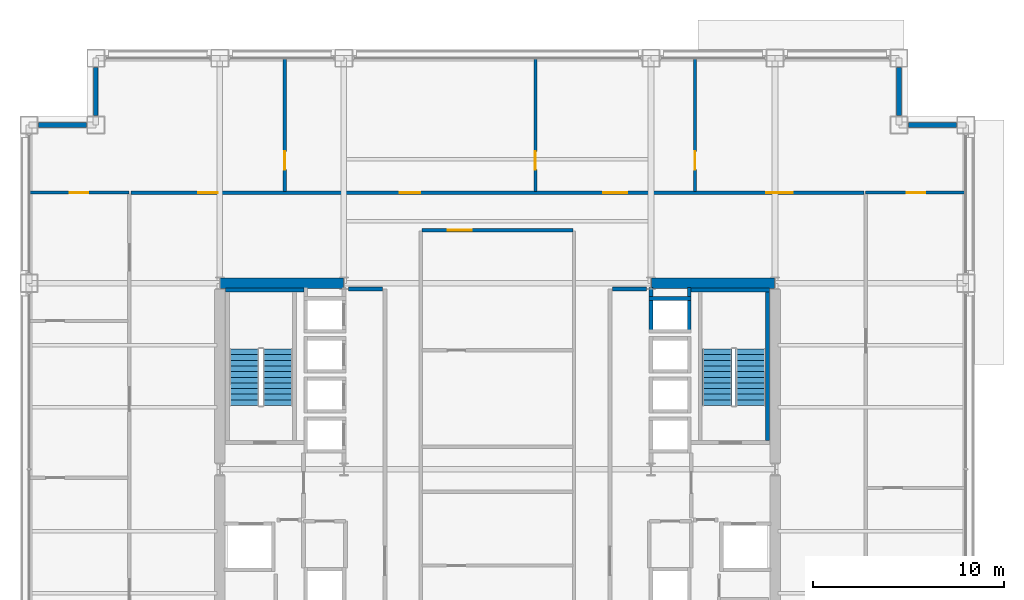
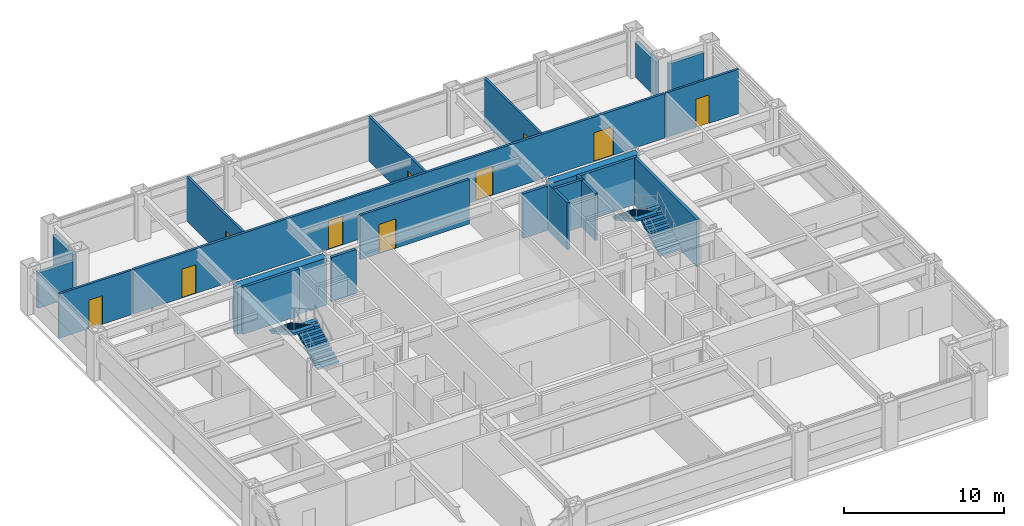
# One storey, part 27 of 28: 21 walls, 10 doors, 4 stair flights, 10 openings, 2 elements without a shape of their own.
"""IFC4 building model written with IfcOpenShell, lengths in metres."""

from ifc_helpers import new_model, si_unit, direction, frame, frame_2d, origin, place, context, subcontext, project, spatial, polyline, rectangle, outline, extrude, material, layer, layer_set, type_object, element, fill, aggregate, save


model = new_model("IFC4")

# Units and contexts
model_context = context("Model", 3, precision=1e-05, world=origin(), true_north=direction((0.0, 1.0)))
body_context = subcontext(model_context, "Body", "Model", "MODEL_VIEW")
ifc_project = project(units=[si_unit("LENGTHUNIT", "METRE"), si_unit("AREAUNIT", "SQUARE_METRE"), si_unit("VOLUMEUNIT", "CUBIC_METRE"), si_unit("PLANEANGLEUNIT", "RADIAN"), si_unit("MASSUNIT", "GRAM", prefix="KILO")], contexts=[model_context])

# Site, building, storey
site_placement = place(None, origin())
site = spatial("IfcSite", under=ifc_project, at=site_placement, CompositionType="ELEMENT")
building_placement = place(site_placement, origin())
building = spatial("IfcBuilding", under=site, at=building_placement, Name="Brelmoor Portico Tower", CompositionType="ELEMENT")
storey_placement = place(building_placement, frame((0.0, 0.0, 49.199951171875)))
storey = spatial("IfcBuildingStorey", under=building, at=storey_placement, Name="L12", CompositionType="ELEMENT", Elevation=49.199951171875)

# Walls
ifc_material_1 = material(Name="Concrete C60", Category="concrete")
ifc_layer_1 = layer(ifc_material_1, 0.550048828125)
ifc_layer_set_1 = layer_set([ifc_layer_1], Name="Concrete C60")
wall_type_1 = type_object("IfcWallType", Name="WL-CORE-550", PredefinedType="SHEAR", material=ifc_layer_set_1)
for number, where, z_axis, x_axis, name in (
    (1, (-14.530029296875, 9.75, -0.199951171875), (0.0, 0.0, 1.0), (1.0, 0.0, 0.0), "L12 WC North Shear Wall"),
    (2, (8.070068359375, 9.75, -0.199951171875), (0.0, 0.0, 1.0), (1.0, 0.0, 0.0), "L12 EC North Shear Wall"),
):
    element("IfcWall", number, at=place(storey_placement, frame(where, z_axis=z_axis, x_axis=x_axis)), inside=storey, type_object=wall_type_1, Name=name, PredefinedType="SHEAR", context=body_context, shape_type="SweptSolid", body=[
        extrude(rectangle(XDim=6.4599609375, YDim=0.550048828125, at=frame_2d((3.22998046875, 0.0))), origin(), (0.0, 0.0, 1.0), 3.60009765625),
    ])
ifc_material_2 = material(Name="Precast Concrete C40 Insulated Facade Wall", Category="concrete")
ifc_layer_2 = layer(ifc_material_2, 0.25)
ifc_layer_set_2 = layer_set([ifc_layer_2], Name="Precast Concrete C40 Insulated Facade Wall")
wall_type_2 = type_object("IfcWallType", Name="WL-EXT-250", PredefinedType="STANDARD", material=ifc_layer_set_2)
for number, where, z_axis, x_axis, name in (
    (3, (-24.06494140625, 18.050048828125, 0.0), (0.0, 0.0, 1.0), (1.0, 0.0, 0.0), "L12 Corner Notch Facade Wall NNWH1"),
    (4, (-21.050048828125, 18.534912109375, 0.0), (0.0, 0.0, 1.0), (0.0, 1.0, 0.0), "L12 Corner Notch Facade Wall NNWV1"),
    (5, (21.534912109375, 18.050048828125, 0.0), (0.0, 0.0, 1.0), (1.0, 0.0, 0.0), "L12 Corner Notch Facade Wall NNEH1"),
    (6, (21.050048828125, 18.534912109375, 0.0), (0.0, 0.0, 1.0), (0.0, 1.0, 0.0), "L12 Corner Notch Facade Wall NNEV1"),
):
    element("IfcWall", number, at=place(storey_placement, frame(where, z_axis=z_axis, x_axis=x_axis)), inside=storey, type_object=wall_type_2, Name=name, PredefinedType="STANDARD", context=body_context, shape_type="SweptSolid", body=[
        extrude(rectangle(XDim=2.530029296875, YDim=0.25, at=frame_2d((1.26513671875, 0.0))), origin(), (0.0, 0.0, 1.0), 2.699951171875),
    ])

# Wall, opening, door
ifc_material_3 = material(Name="Twin-Frame Acoustic Partition", Category="gypsum")
ifc_layer_3 = layer(ifc_material_3, 0.159912109375)
ifc_layer_set_3 = layer_set([ifc_layer_3], Name="Twin-Frame Acoustic Partition")
wall_type_3 = type_object("IfcWallType", Name="WL-PART-160", PredefinedType="PARTITIONING", material=ifc_layer_set_3)
wall_1_placement = place(storey_placement, frame((-11.149658203125, 14.56005859375, 0.0), z_axis=(0.0, 0.0, 1.0), x_axis=(0.0, 1.0, 0.0)))
wall_1 = element("IfcWall", 7, at=wall_1_placement, inside=storey, type_object=wall_type_3, Name="L12 North Suite Partition 1", PredefinedType="PARTITIONING", context=body_context, shape_type="SweptSolid", body=[
    extrude(rectangle(XDim=7.0, YDim=0.159912109375, at=frame_2d((3.5, 0.0))), origin(), (0.0, 0.0, 1.0), 3.400146484375),
])
opening_1_placement = place(wall_1_placement, frame((1.14990234375, 0.0, 0.0)))
opening_1 = element("IfcOpeningElement", 8, at=opening_1_placement, cuts=wall_1, Name="Opening D-IN2", PredefinedType="OPENING", context=body_context, shape_type="SweptSolid", body=[
    extrude(rectangle(XDim=0.9599609375, YDim=2.179931640625, at=frame_2d((0.47998046875, 1.08984375))), frame((0.0, 0.08984375, 0.0), z_axis=(0.0, -1.0, 0.0), x_axis=(1.0, 0.0, 0.0)), (0.0, 0.0, 1.0), 0.179931640625),
])
ifc_material_4 = material(Name="Lacquered Timber Suite Door", Category="wood")
door_type_1 = type_object("IfcDoorType", Name="DR-INT-950", OperationType="NOTDEFINED", PredefinedType="DOOR", material=ifc_material_4)
door_1_placement = place(opening_1_placement, origin())
door_1 = element("IfcDoor", 9, at=door_1_placement, inside=storey, type_object=door_type_1, Name="D-0547 L12 North Suite Connecting Door 1", OperationType="SINGLE_SWING_LEFT", OverallHeight=2.179931640625, OverallWidth=0.9599609375, PredefinedType="DOOR", context=body_context, shape_type="SweptSolid", body=[
    extrude(rectangle(XDim=0.9599609375, YDim=2.179931640625, at=frame_2d((0.47998046875, 1.08984375))), frame((0.0, 0.02490234375, 0.0), z_axis=(0.0, -1.0, 0.0), x_axis=(1.0, 0.0, 0.0)), (0.0, 0.0, 1.0), 0.050048828125),
])
fill(opening_1, door_1)

wall_2_placement = place(storey_placement, frame((1.990966796875, 14.56005859375, 0.0), z_axis=(0.0, 0.0, 1.0), x_axis=(0.0, 1.0, 0.0)))
wall_2 = element("IfcWall", 10, at=wall_2_placement, inside=storey, type_object=wall_type_3, Name="L12 North Suite Partition 2", PredefinedType="PARTITIONING", context=body_context, shape_type="SweptSolid", body=[
    extrude(rectangle(XDim=7.0, YDim=0.159912109375, at=frame_2d((3.5, 0.0))), origin(), (0.0, 0.0, 1.0), 3.400146484375),
])
opening_2_placement = place(wall_2_placement, frame((1.14990234375, 0.0, 0.0)))
opening_2 = element("IfcOpeningElement", 11, at=opening_2_placement, cuts=wall_2, Name="Opening D-IN2", PredefinedType="OPENING", context=body_context, shape_type="SweptSolid", body=[
    extrude(rectangle(XDim=0.9599609375, YDim=2.179931640625, at=frame_2d((0.47998046875, 1.08984375))), frame((0.0, 0.08984375, 0.0), z_axis=(0.0, -1.0, 0.0), x_axis=(1.0, 0.0, 0.0)), (0.0, 0.0, 1.0), 0.179931640625),
])
door_2_placement = place(opening_2_placement, origin())
door_2 = element("IfcDoor", 12, at=door_2_placement, inside=storey, type_object=door_type_1, Name="D-0548 L12 North Suite Connecting Door 2", OperationType="SINGLE_SWING_RIGHT", OverallHeight=2.179931640625, OverallWidth=0.9599609375, PredefinedType="DOOR", context=body_context, shape_type="SweptSolid", body=[
    extrude(rectangle(XDim=0.9599609375, YDim=2.179931640625, at=frame_2d((0.47998046875, 1.08984375))), frame((0.0, 0.02490234375, 0.0), z_axis=(0.0, -1.0, 0.0), x_axis=(1.0, 0.0, 0.0)), (0.0, 0.0, 1.0), 0.050048828125),
])
fill(opening_2, door_2)

wall_3_placement = place(storey_placement, frame((10.353271484375, 14.56005859375, 0.0), z_axis=(0.0, 0.0, 1.0), x_axis=(0.0, 1.0, 0.0)))
wall_3 = element("IfcWall", 13, at=wall_3_placement, inside=storey, type_object=wall_type_3, Name="L12 North Suite Partition 3", PredefinedType="PARTITIONING", context=body_context, shape_type="SweptSolid", body=[
    extrude(rectangle(XDim=7.0, YDim=0.159912109375, at=frame_2d((3.5, 0.0))), origin(), (0.0, 0.0, 1.0), 3.400146484375),
])
opening_3_placement = place(wall_3_placement, frame((1.14990234375, 0.0, 0.0)))
opening_3 = element("IfcOpeningElement", 14, at=opening_3_placement, cuts=wall_3, Name="Opening D-IN2", PredefinedType="OPENING", context=body_context, shape_type="SweptSolid", body=[
    extrude(rectangle(XDim=0.9599609375, YDim=2.179931640625, at=frame_2d((0.47998046875, 1.08984375))), frame((0.0, 0.08984375, 0.0), z_axis=(0.0, -1.0, 0.0), x_axis=(1.0, 0.0, 0.0)), (0.0, 0.0, 1.0), 0.179931640625),
])
door_3_placement = place(opening_3_placement, origin())
door_3 = element("IfcDoor", 15, at=door_3_placement, inside=storey, type_object=door_type_1, Name="D-0549 L12 North Suite Connecting Door 3", OperationType="SINGLE_SWING_LEFT", OverallHeight=2.179931640625, OverallWidth=0.9599609375, PredefinedType="DOOR", context=body_context, shape_type="SweptSolid", body=[
    extrude(rectangle(XDim=0.9599609375, YDim=2.179931640625, at=frame_2d((0.47998046875, 1.08984375))), frame((0.0, 0.02490234375, 0.0), z_axis=(0.0, -1.0, 0.0), x_axis=(1.0, 0.0, 0.0)), (0.0, 0.0, 1.0), 0.050048828125),
])
fill(opening_3, door_3)

wall_4_placement = place(storey_placement, frame((-24.56005859375, 14.5, 0.0), z_axis=(0.0, 0.0, 1.0), x_axis=(1.0, 0.0, 0.0)))
wall_4 = element("IfcWall", 16, at=wall_4_placement, inside=storey, type_object=wall_type_3, Name="L12 North Outer Closure WL", PredefinedType="PARTITIONING", context=body_context, shape_type="SweptSolid", body=[
    extrude(rectangle(XDim=5.260009765625, YDim=0.159912109375, at=frame_2d((2.6298828125, 0.0))), origin(), (0.0, 0.0, 1.0), 3.400146484375),
])
opening_4_placement = place(wall_4_placement, frame((2.14990234375, 0.0, 0.0)))
opening_4 = element("IfcOpeningElement", 17, at=opening_4_placement, cuts=wall_4, Name="Opening D-IN2", PredefinedType="OPENING", context=body_context, shape_type="SweptSolid", body=[
    extrude(rectangle(XDim=0.9599609375, YDim=2.179931640625, at=frame_2d((0.47998046875, 1.08984375))), frame((0.0, 0.08984375, 0.0), z_axis=(0.0, -1.0, 0.0), x_axis=(1.0, 0.0, 0.0)), (0.0, 0.0, 1.0), 0.179931640625),
])
door_4_placement = place(opening_4_placement, origin())
door_4 = element("IfcDoor", 18, at=door_4_placement, inside=storey, type_object=door_type_1, Name="D-0551 L12 WL North Corner Suite Door", OperationType="SINGLE_SWING_LEFT", OverallHeight=2.179931640625, OverallWidth=0.9599609375, PredefinedType="DOOR", context=body_context, shape_type="SweptSolid", body=[
    extrude(rectangle(XDim=0.9599609375, YDim=2.179931640625, at=frame_2d((0.47998046875, 1.08984375))), frame((0.0, 0.02490234375, 0.0), z_axis=(0.0, -1.0, 0.0), x_axis=(1.0, 0.0, 0.0)), (0.0, 0.0, 1.0), 0.050048828125),
])
fill(opening_4, door_4)

wall_5_placement = place(storey_placement, frame((19.300048828125, 14.5, 0.0), z_axis=(0.0, 0.0, 1.0), x_axis=(1.0, 0.0, 0.0)))
wall_5 = element("IfcWall", 19, at=wall_5_placement, inside=storey, type_object=wall_type_3, Name="L12 North Outer Closure ER", PredefinedType="PARTITIONING", context=body_context, shape_type="SweptSolid", body=[
    extrude(rectangle(XDim=5.260009765625, YDim=0.159912109375, at=frame_2d((2.6298828125, 0.0))), origin(), (0.0, 0.0, 1.0), 3.400146484375),
])
opening_5_placement = place(wall_5_placement, frame((2.14990234375, 0.0, 0.0)))
opening_5 = element("IfcOpeningElement", 20, at=opening_5_placement, cuts=wall_5, Name="Opening D-IN2", PredefinedType="OPENING", context=body_context, shape_type="SweptSolid", body=[
    extrude(rectangle(XDim=0.9599609375, YDim=2.179931640625, at=frame_2d((0.47998046875, 1.08984375))), frame((0.0, 0.08984375, 0.0), z_axis=(0.0, -1.0, 0.0), x_axis=(1.0, 0.0, 0.0)), (0.0, 0.0, 1.0), 0.179931640625),
])
door_5_placement = place(opening_5_placement, origin())
door_5 = element("IfcDoor", 21, at=door_5_placement, inside=storey, type_object=door_type_1, Name="D-0550 L12 ER North Corner Suite Door", OperationType="SINGLE_SWING_RIGHT", OverallHeight=2.179931640625, OverallWidth=0.9599609375, PredefinedType="DOOR", context=body_context, shape_type="SweptSolid", body=[
    extrude(rectangle(XDim=0.9599609375, YDim=2.179931640625, at=frame_2d((0.47998046875, 1.08984375))), frame((0.0, 0.02490234375, 0.0), z_axis=(0.0, -1.0, 0.0), x_axis=(1.0, 0.0, 0.0)), (0.0, 0.0, 1.0), 0.050048828125),
])
fill(opening_5, door_5)

ifc_material_5 = material(Name="Acoustic Corridor Fire Partition", Category="gypsum")
ifc_layer_4 = layer(ifc_material_5, 0.179931640625)
ifc_layer_set_4 = layer_set([ifc_layer_4], Name="Acoustic Corridor Fire Partition")
wall_type_4 = type_object("IfcWallType", Name="WL-PART-180", PredefinedType="PARTITIONING", material=ifc_layer_set_4)
wall_6_placement = place(storey_placement, frame((-3.949951171875, 12.52001953125, 0.0), z_axis=(0.0, 0.0, 1.0), x_axis=(1.0, 0.0, 0.0)))
wall_6 = element("IfcWall", 22, at=wall_6_placement, inside=storey, type_object=wall_type_4, Name="L12 Central Meeting Corridor Wall", PredefinedType="PARTITIONING", context=body_context, shape_type="SweptSolid", body=[
    extrude(rectangle(XDim=7.89990234375, YDim=0.179931640625, at=frame_2d((3.949951171875, 0.0))), origin(), (0.0, 0.0, 1.0), 3.400146484375),
])
opening_6_placement = place(wall_6_placement, frame((1.35009765625, 0.0, 0.0)))
opening_6 = element("IfcOpeningElement", 23, at=opening_6_placement, cuts=wall_6, Name="Opening D-SU1", PredefinedType="OPENING", context=body_context, shape_type="SweptSolid", body=[
    extrude(rectangle(XDim=1.239990234375, YDim=2.239990234375, at=frame_2d((0.6201171875, 1.1201171875))), frame((0.0, 0.099853515625, 0.0), z_axis=(0.0, -1.0, 0.0), x_axis=(1.0, 0.0, 0.0)), (0.0, 0.0, 1.0), 0.199951171875),
])
ifc_material_6 = material(Name="Glazed Timber Executive Suite Door", Category="wood")
door_type_2 = type_object("IfcDoorType", Name="DR-SUITE-1200", OperationType="NOTDEFINED", PredefinedType="DOOR", material=ifc_material_6)
door_6_placement = place(opening_6_placement, origin())
door_6 = element("IfcDoor", 24, at=door_6_placement, inside=storey, type_object=door_type_2, Name="D-0527 L12 Client Meeting Room Door", OperationType="SINGLE_SWING_LEFT", OverallHeight=2.239990234375, OverallWidth=1.239990234375, PredefinedType="DOOR", context=body_context, shape_type="SweptSolid", body=[
    extrude(rectangle(XDim=1.239990234375, YDim=2.239990234375, at=frame_2d((0.6201171875, 1.1201171875))), frame((0.0, 0.02490234375, 0.0), z_axis=(0.0, -1.0, 0.0), x_axis=(1.0, 0.0, 0.0)), (0.0, 0.0, 1.0), 0.050048828125),
])
fill(opening_6, door_6)

# Wall, openings, doors
wall_7_placement = place(storey_placement, frame((-19.199951171875, 14.5, 0.0), z_axis=(0.0, 0.0, 1.0), x_axis=(1.0, 0.0, 0.0)))
wall_7 = element("IfcWall", 25, at=wall_7_placement, inside=storey, type_object=wall_type_4, Name="L12 North Corridor Partition", PredefinedType="PARTITIONING", context=body_context, shape_type="SweptSolid", body=[
    extrude(rectangle(XDim=38.39990234375, YDim=0.179931640625, at=frame_2d((19.199951171875, 0.0))), origin(), (0.0, 0.0, 1.0), 3.400146484375),
])
opening_7_placement = place(wall_7_placement, frame((3.51513671875, 0.0, 0.0)))
opening_7 = element("IfcOpeningElement", 26, at=opening_7_placement, cuts=wall_7, Name="Opening D-OF1", PredefinedType="OPENING", context=body_context, shape_type="SweptSolid", body=[
    extrude(rectangle(XDim=1.02001953125, YDim=2.199951171875, at=frame_2d((0.510009765625, 1.10009765625))), frame((0.0, 0.099853515625, 0.0), z_axis=(0.0, -1.0, 0.0), x_axis=(1.0, 0.0, 0.0)), (0.0, 0.0, 1.0), 0.199951171875),
])
opening_8_placement = place(wall_7_placement, frame((14.0908203125, 0.0, 0.0)))
opening_8 = element("IfcOpeningElement", 27, at=opening_8_placement, cuts=wall_7, Name="Opening D-OF2", PredefinedType="OPENING", context=body_context, shape_type="SweptSolid", body=[
    extrude(rectangle(XDim=1.06005859375, YDim=2.199951171875, at=frame_2d((0.530029296875, 1.10009765625))), frame((0.0, 0.099853515625, 0.0), z_axis=(0.0, -1.0, 0.0), x_axis=(1.0, 0.0, 0.0)), (0.0, 0.0, 1.0), 0.199951171875),
])
opening_9_placement = place(wall_7_placement, frame((24.752197265625, 0.0, 0.0)))
opening_9 = element("IfcOpeningElement", 28, at=opening_9_placement, cuts=wall_7, Name="Opening D-SU1", PredefinedType="OPENING", context=body_context, shape_type="SweptSolid", body=[
    extrude(rectangle(XDim=1.239990234375, YDim=2.239990234375, at=frame_2d((0.6201171875, 1.1201171875))), frame((0.0, 0.099853515625, 0.0), z_axis=(0.0, -1.0, 0.0), x_axis=(1.0, 0.0, 0.0)), (0.0, 0.0, 1.0), 0.199951171875),
])
opening_10_placement = place(wall_7_placement, frame((33.276611328125, 0.0, 0.0)))
opening_10 = element("IfcOpeningElement", 29, at=opening_10_placement, cuts=wall_7, Name="Opening D-SU2", PredefinedType="OPENING", context=body_context, shape_type="SweptSolid", body=[
    extrude(rectangle(XDim=1.39990234375, YDim=2.199951171875, at=frame_2d((0.699951171875, 1.10009765625))), frame((0.0, 0.099853515625, 0.0), z_axis=(0.0, -1.0, 0.0), x_axis=(1.0, 0.0, 0.0)), (0.0, 0.0, 1.0), 0.199951171875),
])
ifc_material_7 = material(Name="Hardwood Acoustic Veneer Door", Category="wood")
door_type_3 = type_object("IfcDoorType", Name="DR-OFFICE-1000", OperationType="NOTDEFINED", PredefinedType="DOOR", material=ifc_material_7)
door_7_placement = place(opening_7_placement, origin())
door_7 = element("IfcDoor", 30, at=door_7_placement, inside=storey, type_object=door_type_3, Name="D-0543 L12 North Open-Plan Office 1 Door", OperationType="SINGLE_SWING_RIGHT", OverallHeight=2.199951171875, OverallWidth=1.02001953125, PredefinedType="DOOR", context=body_context, shape_type="SweptSolid", body=[
    extrude(rectangle(XDim=1.02001953125, YDim=2.199951171875, at=frame_2d((0.510009765625, 1.10009765625))), frame((0.0, 0.02490234375, 0.0), z_axis=(0.0, -1.0, 0.0), x_axis=(1.0, 0.0, 0.0)), (0.0, 0.0, 1.0), 0.050048828125),
])
fill(opening_7, door_7)
door_type_4 = type_object("IfcDoorType", Name="DR-OFFICE-1050", OperationType="NOTDEFINED", PredefinedType="DOOR", material=ifc_material_7)
door_8_placement = place(opening_8_placement, origin())
door_8 = element("IfcDoor", 31, at=door_8_placement, inside=storey, type_object=door_type_4, Name="D-0544 L12 North Cellular Office 2 Door", OperationType="SINGLE_SWING_LEFT", OverallHeight=2.199951171875, OverallWidth=1.06005859375, PredefinedType="DOOR", context=body_context, shape_type="SweptSolid", body=[
    extrude(rectangle(XDim=1.06005859375, YDim=2.199951171875, at=frame_2d((0.530029296875, 1.10009765625))), frame((0.0, 0.02490234375, 0.0), z_axis=(0.0, -1.0, 0.0), x_axis=(1.0, 0.0, 0.0)), (0.0, 0.0, 1.0), 0.050048828125),
])
fill(opening_8, door_8)
door_9_placement = place(opening_9_placement, origin())
door_9 = element("IfcDoor", 32, at=door_9_placement, inside=storey, type_object=door_type_2, Name="D-0545 L12 North Technical Storage Room 3 Door", OperationType="SINGLE_SWING_RIGHT", OverallHeight=2.239990234375, OverallWidth=1.239990234375, PredefinedType="DOOR", context=body_context, shape_type="SweptSolid", body=[
    extrude(rectangle(XDim=1.239990234375, YDim=2.239990234375, at=frame_2d((0.6201171875, 1.1201171875))), frame((0.0, 0.02490234375, 0.0), z_axis=(0.0, -1.0, 0.0), x_axis=(1.0, 0.0, 0.0)), (0.0, 0.0, 1.0), 0.050048828125),
])
fill(opening_9, door_9)
ifc_material_8 = material(Name="Double-Leaf Acoustic Suite Door", Category="timber")
door_type_5 = type_object("IfcDoorType", Name="DR-SUITE-1400", OperationType="NOTDEFINED", PredefinedType="DOOR", material=ifc_material_8)
door_10_placement = place(opening_10_placement, origin())
door_10 = element("IfcDoor", 33, at=door_10_placement, inside=storey, type_object=door_type_5, Name="D-0546 L12 North Project Mail and Print Room 4 Door", OperationType="DOUBLE_DOOR_SINGLE_SWING", OverallHeight=2.199951171875, OverallWidth=1.39990234375, PredefinedType="DOOR", context=body_context, shape_type="SweptSolid", body=[
    extrude(rectangle(XDim=1.39990234375, YDim=2.199951171875, at=frame_2d((0.699951171875, 1.10009765625))), frame((0.0, 0.02490234375, 0.0), z_axis=(0.0, -1.0, 0.0), x_axis=(1.0, 0.0, 0.0)), (0.0, 0.0, 1.0), 0.050048828125),
])
fill(opening_10, door_10)

# Walls
ifc_material_9 = material(Name="Double-Stud Gypsum Fire Partition", Category="gypsum")
ifc_layer_5 = layer(ifc_material_9, 0.199951171875)
ifc_layer_set_5 = layer_set([ifc_layer_5], Name="Double-Stud Gypsum Fire Partition")
wall_type_5 = type_object("IfcWallType", Name="WL-PART-200", PredefinedType="PARTITIONING", material=ifc_layer_set_5)
for number, where, z_axis, x_axis, name in (
    (34, (-6.02001953125, 9.449951171875, 0.0), (0.0, 0.0, 1.0), (-1.0, 0.0, 0.0), "L12 W Lift Lobby North End Wall"),
    (35, (6.02001953125, 9.449951171875, 0.0), (0.0, 0.0, 1.0), (1.0, 0.0, 0.0), "L12 E Lift Lobby North End Wall"),
):
    element("IfcWall", number, at=place(storey_placement, frame(where, z_axis=z_axis, x_axis=x_axis)), inside=storey, type_object=wall_type_5, Name=name, PredefinedType="PARTITIONING", context=body_context, shape_type="SweptSolid", body=[
        extrude(rectangle(XDim=1.800048828125, YDim=0.199951171875, at=frame_2d((0.89990234375, 0.0))), origin(), (0.0, 0.0, 1.0), 3.400146484375),
    ])
ifc_material_10 = material(Name="Precast Concrete C40", Category="concrete")
ifc_layer_6 = layer(ifc_material_10, 0.18994140625)
ifc_layer_set_6 = layer_set([ifc_layer_6], Name="Precast Concrete C40")
wall_type_6 = type_object("IfcWallType", Name="WL-SHAFT-180", PredefinedType="SOLIDWALL", material=ifc_layer_set_6)
for number, where, z_axis, x_axis, name in (
    (36, (8.044921875, 7.14990234375, -0.199951171875), (0.0, 0.0, 1.0), (0.0, 1.0, 0.0), "L12 Lift PM4 Hoistway Front Wall"),
    (37, (10.054931640625, 7.14990234375, -0.199951171875), (0.0, 0.0, 1.0), (0.0, 1.0, 0.0), "L12 Lift PM4 Hoistway Back Wall"),
):
    element("IfcWall", number, at=place(storey_placement, frame(where, z_axis=z_axis, x_axis=x_axis)), inside=storey, type_object=wall_type_6, Name=name, PredefinedType="SOLIDWALL", context=body_context, shape_type="SweptSolid", body=[
        extrude(rectangle(XDim=2.3701171875, YDim=0.18994140625, at=frame_2d((1.18505859375, 0.0))), origin(), (0.0, 0.0, 1.0), 3.60009765625),
    ])
wall_8_placement = place(storey_placement, frame((7.949951171875, 8.955078125, -0.199951171875), z_axis=(0.0, 0.0, 1.0), x_axis=(1.0, 0.0, 0.0)))
element("IfcWall", 38, at=wall_8_placement, inside=storey, type_object=wall_type_6, Name="L12 Lift PM4 Hoistway North Wall", PredefinedType="SOLIDWALL", context=body_context, shape_type="SweptSolid", body=[
    extrude(rectangle(XDim=2.199951171875, YDim=0.18994140625, at=frame_2d((1.10009765625, 0.0))), origin(), (0.0, 0.0, 1.0), 3.60009765625),
])
ifc_material_11 = material(Name="Concrete C40", Category="concrete")
ifc_layer_7 = layer(ifc_material_11, 0.199951171875)
ifc_layer_set_7 = layer_set([ifc_layer_7], Name="Concrete C40")
wall_type_7 = type_object("IfcWallType", Name="WL-SHAFT-RC200", PredefinedType="SOLIDWALL", material=ifc_layer_set_7)
wall_9_placement = place(storey_placement, frame((14.14990234375, 1.5, -0.199951171875), z_axis=(0.0, 0.0, 1.0), x_axis=(0.0, 1.0, 0.0)))
element("IfcWall", 39, at=wall_9_placement, inside=storey, type_object=wall_type_7, Name="L12 ST-E Structural Stair Wall Outer", PredefinedType="SOLIDWALL", context=body_context, shape_type="SweptSolid", body=[
    extrude(rectangle(XDim=7.800048828125, YDim=0.199951171875, at=frame_2d((3.89990234375, 0.0))), origin(), (0.0, 0.0, 1.0), 3.60009765625),
])
for number, where, z_axis, x_axis, name in (
    (40, (-14.25, 9.39990234375, -0.199951171875), (0.0, 0.0, 1.0), (1.0, 0.0, 0.0), "L12 ST-W Structural Stair Wall N"),
    (41, (10.14990234375, 9.39990234375, -0.199951171875), (0.0, 0.0, 1.0), (1.0, 0.0, 0.0), "L12 ST-E Structural Stair Wall N"),
):
    element("IfcWall", number, at=place(storey_placement, frame(where, z_axis=z_axis, x_axis=x_axis)), inside=storey, type_object=wall_type_7, Name=name, PredefinedType="SOLIDWALL", context=body_context, shape_type="SweptSolid", body=[
        extrude(rectangle(XDim=4.10009765625, YDim=0.199951171875, at=frame_2d((2.050048828125, 0.0))), origin(), (0.0, 0.0, 1.0), 3.60009765625),
    ])

# Stair, stair flights
stair_type_1 = type_object("IfcStairType", Name="ST-CORE-W", PredefinedType="HALF_TURN_STAIR", material=ifc_material_11)
stair_1_placement = place(storey_placement, origin())
stair_1 = element("IfcStair", 42, at=stair_1_placement, inside=storey, type_object=stair_type_1, Name="L12 Protected Core Exit Stair ST-W", PredefinedType="HALF_TURN_STAIR")
stair_flight_type = type_object("IfcStairFlightType", Name="SF-CORE-1850", PredefinedType="STRAIGHT", material=ifc_material_11)
stair_flight_1_placement = place(storey_placement, frame((-11.510009765625, 3.35009765625, 0.0), z_axis=(0.0, 0.0, 1.0), x_axis=(0.0, 1.0, 0.0)))
stair_flight_1 = element("IfcStairFlight", 43, at=stair_flight_1_placement, type_object=stair_flight_type, Name="ST-W flight 1", NumberOfRisers=11, NumberOfTreads=10, PredefinedType="STRAIGHT", RiserHeight=0.163636364, TreadLength=0.295, context=body_context, shape_type="SweptSolid", body=[
    extrude(outline(polyline([(0.0, 0.0), (0.0, 0.16357421875), (0.294921875, 0.16357421875), (0.294921875, 0.327392578125), (0.590087890625, 0.327392578125), (0.590087890625, 0.490966796875), (0.885009765625, 0.490966796875), (0.885009765625, 0.654541015625), (1.179931640625, 0.654541015625), (1.179931640625, 0.818115234375), (1.47509765625, 0.818115234375), (1.47509765625, 0.98193359375), (1.77001953125, 0.98193359375), (1.77001953125, 1.1455078125), (2.06494140625, 1.1455078125), (2.06494140625, 1.30908203125), (2.360107421875, 1.30908203125), (2.360107421875, 1.47265625), (2.655029296875, 1.47265625), (2.655029296875, 1.636474609375), (2.949951171875, 1.636474609375), (2.949951171875, 1.800048828125), (2.949951171875, 1.46484375), (0.30908203125, 0.0), (0.0, 0.0)])), frame((0.0, 0.780029296875, 0.0), z_axis=(0.0, -1.0, 0.0), x_axis=(1.0, 0.0, 0.0)), (0.0, 0.0, 1.0), 1.56005859375),
])
stair_flight_2_placement = place(storey_placement, frame((-13.27001953125, 6.300048828125, 1.800048828125), z_axis=(0.0, 0.0, 1.0), x_axis=(0.0, -1.0, 0.0)))
stair_flight_2 = element("IfcStairFlight", 44, at=stair_flight_2_placement, type_object=stair_flight_type, Name="ST-W flight 2", NumberOfRisers=11, NumberOfTreads=10, PredefinedType="STRAIGHT", RiserHeight=0.163636364, TreadLength=0.295, context=body_context, shape_type="SweptSolid", body=[
    extrude(outline(polyline([(0.0, 0.0), (0.0, 0.16357421875), (0.294921875, 0.16357421875), (0.294921875, 0.327392578125), (0.590087890625, 0.327392578125), (0.590087890625, 0.490966796875), (0.885009765625, 0.490966796875), (0.885009765625, 0.654541015625), (1.179931640625, 0.654541015625), (1.179931640625, 0.818115234375), (1.47509765625, 0.818115234375), (1.47509765625, 0.98193359375), (1.77001953125, 0.98193359375), (1.77001953125, 1.1455078125), (2.06494140625, 1.1455078125), (2.06494140625, 1.30908203125), (2.360107421875, 1.30908203125), (2.360107421875, 1.47265625), (2.655029296875, 1.47265625), (2.655029296875, 1.636474609375), (2.949951171875, 1.636474609375), (2.949951171875, 1.800048828125), (2.949951171875, 1.46484375), (0.30908203125, 0.0), (0.0, 0.0)])), frame((0.0, 0.780029296875, 0.0), z_axis=(0.0, -1.0, 0.0), x_axis=(1.0, 0.0, 0.0)), (0.0, 0.0, 1.0), 1.56005859375),
])
aggregate(stair_1, [stair_flight_1, stair_flight_2])

stair_type_2 = type_object("IfcStairType", Name="ST-CORE-E", PredefinedType="HALF_TURN_STAIR", material=ifc_material_11)
stair_2_placement = place(storey_placement, origin())
stair_2 = element("IfcStair", 45, at=stair_2_placement, inside=storey, type_object=stair_type_2, Name="L12 Protected Core Exit Stair ST-E", PredefinedType="HALF_TURN_STAIR")
stair_flight_3_placement = place(storey_placement, frame((13.27001953125, 3.35009765625, 0.0), z_axis=(0.0, 0.0, 1.0), x_axis=(0.0, 1.0, 0.0)))
stair_flight_3 = element("IfcStairFlight", 46, at=stair_flight_3_placement, type_object=stair_flight_type, Name="ST-E flight 1", NumberOfRisers=11, NumberOfTreads=10, PredefinedType="STRAIGHT", RiserHeight=0.163636364, TreadLength=0.295, context=body_context, shape_type="SweptSolid", body=[
    extrude(outline(polyline([(0.0, 0.0), (0.0, 0.16357421875), (0.294921875, 0.16357421875), (0.294921875, 0.327392578125), (0.590087890625, 0.327392578125), (0.590087890625, 0.490966796875), (0.885009765625, 0.490966796875), (0.885009765625, 0.654541015625), (1.179931640625, 0.654541015625), (1.179931640625, 0.818115234375), (1.47509765625, 0.818115234375), (1.47509765625, 0.98193359375), (1.77001953125, 0.98193359375), (1.77001953125, 1.1455078125), (2.06494140625, 1.1455078125), (2.06494140625, 1.30908203125), (2.360107421875, 1.30908203125), (2.360107421875, 1.47265625), (2.655029296875, 1.47265625), (2.655029296875, 1.636474609375), (2.949951171875, 1.636474609375), (2.949951171875, 1.800048828125), (2.949951171875, 1.46484375), (0.30908203125, 0.0), (0.0, 0.0)])), frame((0.0, 0.780029296875, 0.0), z_axis=(0.0, -1.0, 0.0), x_axis=(1.0, 0.0, 0.0)), (0.0, 0.0, 1.0), 1.56005859375),
])
stair_flight_4_placement = place(storey_placement, frame((11.510009765625, 6.300048828125, 1.800048828125), z_axis=(0.0, 0.0, 1.0), x_axis=(0.0, -1.0, 0.0)))
stair_flight_4 = element("IfcStairFlight", 47, at=stair_flight_4_placement, type_object=stair_flight_type, Name="ST-E flight 2", NumberOfRisers=11, NumberOfTreads=10, PredefinedType="STRAIGHT", RiserHeight=0.163636364, TreadLength=0.295, context=body_context, shape_type="SweptSolid", body=[
    extrude(outline(polyline([(0.0, 0.0), (0.0, 0.16357421875), (0.294921875, 0.16357421875), (0.294921875, 0.327392578125), (0.590087890625, 0.327392578125), (0.590087890625, 0.490966796875), (0.885009765625, 0.490966796875), (0.885009765625, 0.654541015625), (1.179931640625, 0.654541015625), (1.179931640625, 0.818115234375), (1.47509765625, 0.818115234375), (1.47509765625, 0.98193359375), (1.77001953125, 0.98193359375), (1.77001953125, 1.1455078125), (2.06494140625, 1.1455078125), (2.06494140625, 1.30908203125), (2.360107421875, 1.30908203125), (2.360107421875, 1.47265625), (2.655029296875, 1.47265625), (2.655029296875, 1.636474609375), (2.949951171875, 1.636474609375), (2.949951171875, 1.800048828125), (2.949951171875, 1.46484375), (0.30908203125, 0.0), (0.0, 0.0)])), frame((0.0, 0.780029296875, 0.0), z_axis=(0.0, -1.0, 0.0), x_axis=(1.0, 0.0, 0.0)), (0.0, 0.0, 1.0), 1.56005859375),
])
aggregate(stair_2, [stair_flight_3, stair_flight_4])

save(model, "model.ifc")
